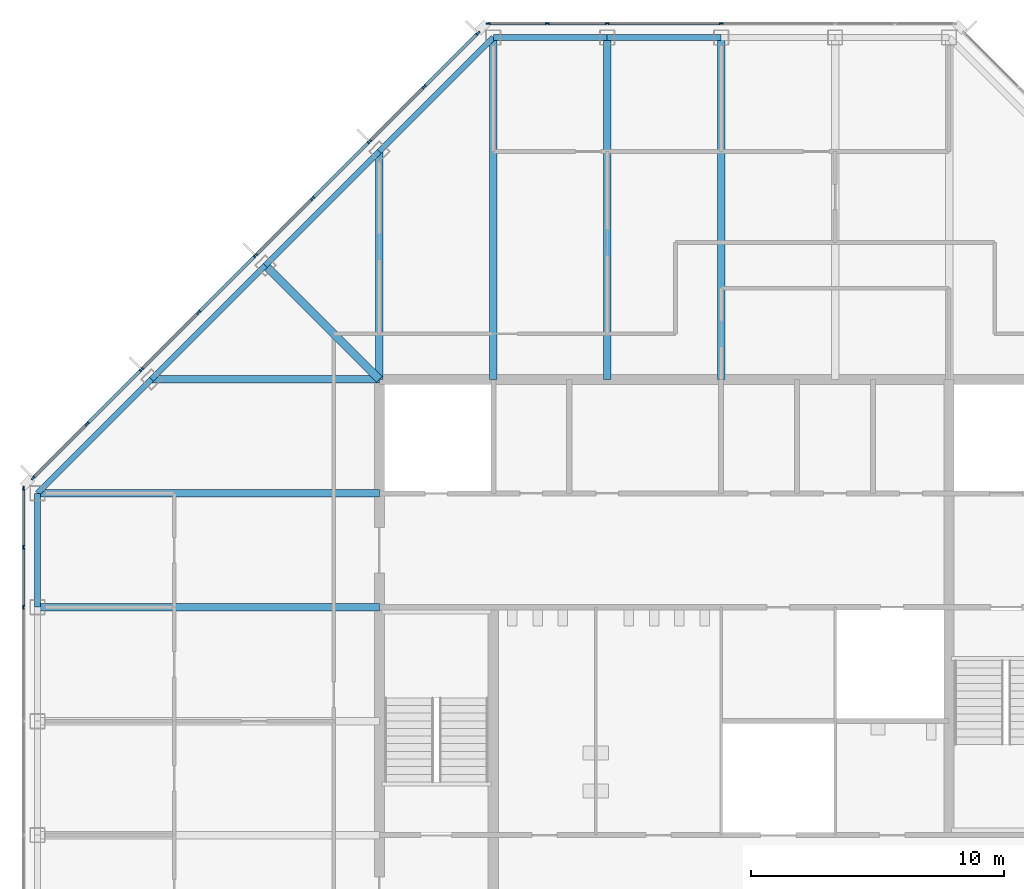
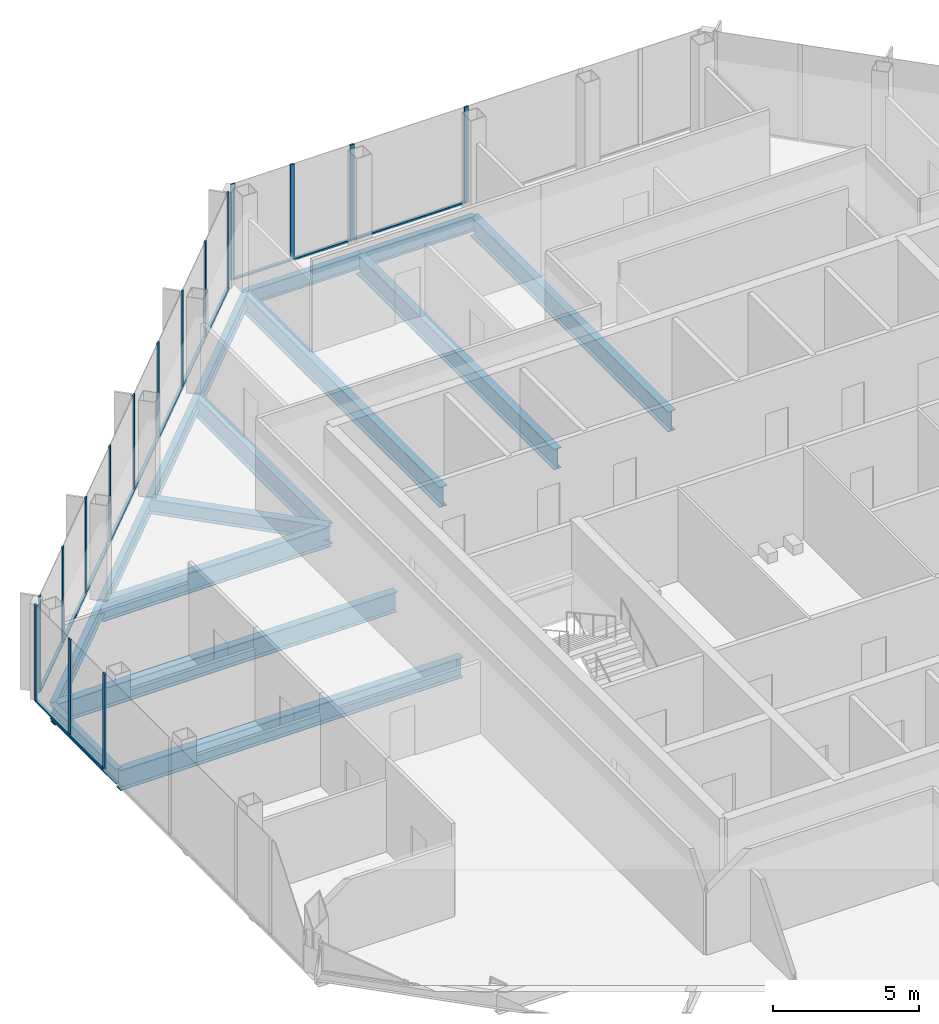
# One storey, part 6 of 14: 29 members, 15 beams, 3 elements without a shape of their own.
"""IFC4 building model written with IfcOpenShell, lengths in metres."""

from ifc_helpers import new_model, si_unit, direction, frame, origin, origin_2d, place, context, subcontext, project, spatial, rectangle, i_section, extrude, material, material_profile, profile_set, type_object, element, aggregate, save


model = new_model("IFC4")

# Units and contexts
model_context = context("Model", 3, precision=1e-05, world=origin(), true_north=direction((0.0, 1.0)))
body_context = subcontext(model_context, "Body", "Model", "MODEL_VIEW")
ifc_project = project(units=[si_unit("LENGTHUNIT", "METRE"), si_unit("AREAUNIT", "SQUARE_METRE"), si_unit("VOLUMEUNIT", "CUBIC_METRE"), si_unit("PLANEANGLEUNIT", "RADIAN"), si_unit("MASSUNIT", "GRAM", prefix="KILO")], contexts=[model_context])

# Site, building, storey
site_placement = place(None, origin())
site = spatial("IfcSite", under=ifc_project, at=site_placement, CompositionType="ELEMENT")
building_placement = place(site_placement, origin())
building = spatial("IfcBuilding", under=site, at=building_placement, Name="Corais Broadcast Tower", CompositionType="ELEMENT")
storey_placement = place(building_placement, frame((0.0, 0.0, 266.60009765625)))
storey = spatial("IfcBuildingStorey", under=building, at=storey_placement, Name="L62", CompositionType="ELEMENT", Elevation=266.60009765625)

# Beams
ifc_material_1 = material(Name="Steel ASTM A572 Grade 50", Category="steel")
ifc_material_profile_1 = material_profile(ifc_material_1, i_section(OverallWidth=0.323974609375, OverallDepth=0.611083984375, WebThickness=0.0126953125, FlangeThickness=0.01904296875, at=origin_2d()), Name="W610x155")
ifc_profile_set_1 = profile_set([ifc_material_profile_1], Name="Steel ASTM A572 Grade 50")
beam_type_1 = type_object("IfcBeamType", Name="Corner diagonal W610x155", PredefinedType="BEAM", material=ifc_profile_set_1)
beam_1_placement = place(storey_placement, frame((9.0, 45.0, -0.465576171875), z_axis=(0.707106781187, -0.707106781187, 0.0), x_axis=(0.707106781187, 0.707106781187, 0.0)))
element("IfcBeam", 1, at=beam_1_placement, inside=storey, type_object=beam_type_1, Name="B6 L/5 to K/6", PredefinedType="BEAM", context=body_context, shape_type="SweptSolid", body=[
    extrude(i_section(OverallWidth=0.323974609375, OverallDepth=0.611083984375, WebThickness=0.0126953125, FlangeThickness=0.01904296875, at=origin_2d()), origin(), (0.0, 0.0, 1.0), 6.364013671875),
])
ifc_material_2 = material(Name="Steel ASTM A572 Grade 50", Category="steel")
ifc_material_profile_2 = material_profile(ifc_material_2, i_section(OverallWidth=0.2939453125, OverallDepth=0.85107421875, WebThickness=0.01611328125, FlangeThickness=0.02685546875, at=origin_2d()), Name="W840x226")
ifc_profile_set_2 = profile_set([ifc_material_profile_2], Name="Steel ASTM A572 Grade 50")
beam_type_2 = type_object("IfcBeamType", Name="Floor beam W840x226", PredefinedType="BEAM", material=ifc_profile_set_2)
for number, where, z_axis, x_axis, name in (
    (2, (0.0, 31.5, -0.585693359375), (1.0, 0.0, 0.0), (0.0, 1.0, 0.0), "B1 H/3 to H/6"),
    (3, (0.0, 36.0, -0.585693359375), (1.0, 0.0, 0.0), (0.0, 1.0, 0.0), "B1 J/3 to J/6"),
):
    element("IfcBeam", number, at=place(storey_placement, frame(where, z_axis=z_axis, x_axis=x_axis)), inside=storey, type_object=beam_type_2, Name=name, PredefinedType="BEAM", context=body_context, shape_type="SweptSolid", body=[
        extrude(i_section(OverallWidth=0.2939453125, OverallDepth=0.85107421875, WebThickness=0.01611328125, FlangeThickness=0.02685546875, at=origin_2d()), origin(), (0.0, 0.0, 1.0), 13.5),
    ])
beam_2_placement = place(storey_placement, frame((13.5, 49.5, -0.585693359375), z_axis=(0.0, -1.0, 0.0), x_axis=(1.0, 0.0, 0.0)))
element("IfcBeam", 4, at=beam_2_placement, inside=storey, type_object=beam_type_2, Name="B1 M/6 to K/6", PredefinedType="BEAM", context=body_context, shape_type="SweptSolid", body=[
    extrude(i_section(OverallWidth=0.2939453125, OverallDepth=0.85107421875, WebThickness=0.01611328125, FlangeThickness=0.02685546875, at=origin_2d()), origin(), (0.0, 0.0, 1.0), 9.0),
])
for number, where, z_axis, x_axis, name in (
    (5, (18.0, 54.0, -0.585693359375), (0.0, -1.0, 0.0), (1.0, 0.0, 0.0), "B1 N/7 to K/7"),
    (6, (22.5, 54.0, -0.585693359375), (0.0, -1.0, 0.0), (1.0, 0.0, 0.0), "B1 N/8 to K/8"),
    (7, (27.0, 54.0, -0.585693359375), (0.0, -1.0, 0.0), (1.0, 0.0, 0.0), "B1 N/9 to K/9"),
):
    element("IfcBeam", number, at=place(storey_placement, frame(where, z_axis=z_axis, x_axis=x_axis)), inside=storey, type_object=beam_type_2, Name=name, PredefinedType="BEAM", context=body_context, shape_type="SweptSolid", body=[
        extrude(i_section(OverallWidth=0.2939453125, OverallDepth=0.85107421875, WebThickness=0.01611328125, FlangeThickness=0.02685546875, at=origin_2d()), origin(), (0.0, 0.0, 1.0), 13.5),
    ])
beam_3_placement = place(storey_placement, frame((4.5, 40.5, -0.585693359375), z_axis=(1.0, 0.0, 0.0), x_axis=(0.0, 1.0, 0.0)))
element("IfcBeam", 8, at=beam_3_placement, inside=storey, type_object=beam_type_2, Name="B1 K/4 to K/6", PredefinedType="BEAM", context=body_context, shape_type="SweptSolid", body=[
    extrude(i_section(OverallWidth=0.2939453125, OverallDepth=0.85107421875, WebThickness=0.01611328125, FlangeThickness=0.02685546875, at=origin_2d()), origin(), (0.0, 0.0, 1.0), 9.0),
])

# Curtain wall, members
ifc_material_3 = material(Name="Aluminium and glass", Category="aluminium")
curtain_wall_type = type_object("IfcCurtainWallType", Name="Unitised fritted curtain wall CW3", PredefinedType="NOTDEFINED", material=ifc_material_3)
curtain_wall_1_placement = place(storey_placement, origin())
curtain_wall_1 = element("IfcCurtainWall", 9, at=curtain_wall_1_placement, inside=storey, type_object=curtain_wall_type, Name="CW3 curtain wall L62 2", PredefinedType="NOTDEFINED")
ifc_material_4 = material(Name="Aluminium 6063-T6", Category="aluminium")
ifc_material_profile_3 = material_profile(ifc_material_4, rectangle(XDim=0.06494140625, YDim=0.159912109375, at=origin_2d()), Name="Mullion CW3 65x160")
ifc_profile_set_3 = profile_set([ifc_material_profile_3], Name="Aluminium 6063-T6")
member_type_1 = type_object("IfcMemberType", Name="Mullion CW3 65x160", PredefinedType="MULLION", material=ifc_profile_set_3)
member_1_placement = place(storey_placement, frame((-0.550048828125, 31.5, 0.0), z_axis=(0.0, 0.0, 1.0), x_axis=(-1.0, 0.0, 0.0)))
member_1 = element("IfcMember", 10, at=member_1_placement, type_object=member_type_1, Name="CW3 mullion 5", PredefinedType="MULLION", context=body_context, shape_type="SweptSolid", body=[
    extrude(rectangle(XDim=0.06494140625, YDim=0.159912109375, at=origin_2d()), origin(), (0.0, 0.0, 1.0), 4.0),
])
member_2_placement = place(storey_placement, frame((-0.550048828125, 33.864013671875, 0.0), z_axis=(0.0, 0.0, 1.0), x_axis=(-1.0, 0.0, 0.0)))
member_2 = element("IfcMember", 11, at=member_2_placement, type_object=member_type_1, Name="CW3 mullion 6", PredefinedType="MULLION", context=body_context, shape_type="SweptSolid", body=[
    extrude(rectangle(XDim=0.06494140625, YDim=0.159912109375, at=origin_2d()), origin(), (0.0, 0.0, 1.0), 4.0),
])
member_3_placement = place(storey_placement, frame((-0.550048828125, 36.1953125, 0.0), z_axis=(0.0, 0.0, 1.0), x_axis=(-1.0, 0.0, 0.0)))
member_3 = element("IfcMember", 12, at=member_3_placement, type_object=member_type_1, Name="CW3 mullion 7", PredefinedType="MULLION", context=body_context, shape_type="SweptSolid", body=[
    extrude(rectangle(XDim=0.06494140625, YDim=0.159912109375, at=origin_2d()), origin(), (0.0, 0.0, 1.0), 4.0),
])

curtain_wall_2_placement = place(storey_placement, origin())
curtain_wall_2 = element("IfcCurtainWall", 13, at=curtain_wall_2_placement, inside=storey, type_object=curtain_wall_type, Name="CW3 curtain wall L62 3", PredefinedType="NOTDEFINED")
member_4_placement = place(storey_placement, frame((-0.17333984375, 36.6044921875, 0.0), z_axis=(0.0, 0.0, 1.0), x_axis=(-0.707106781187, 0.707106781187, 0.0)))
member_4 = element("IfcMember", 14, at=member_4_placement, type_object=member_type_1, Name="CW3 mullion 1", PredefinedType="MULLION", context=body_context, shape_type="SweptSolid", body=[
    extrude(rectangle(XDim=0.06494140625, YDim=0.159912109375, at=origin_2d()), origin(), (0.0, 0.0, 1.0), 4.0),
])
member_5_placement = place(storey_placement, frame((1.957275390625, 38.735107421875, 0.0), z_axis=(0.0, 0.0, 1.0), x_axis=(-0.707106781187, 0.707106781187, 0.0)))
member_5 = element("IfcMember", 15, at=member_5_placement, type_object=member_type_1, Name="CW3 mullion 2", PredefinedType="MULLION", context=body_context, shape_type="SweptSolid", body=[
    extrude(rectangle(XDim=0.06494140625, YDim=0.159912109375, at=origin_2d()), origin(), (0.0, 0.0, 1.0), 4.0),
])
member_6_placement = place(storey_placement, frame((4.111083984375, 40.888916015625, 0.0), z_axis=(0.0, 0.0, 1.0), x_axis=(-0.707106781187, 0.707106781187, 0.0)))
member_6 = element("IfcMember", 16, at=member_6_placement, type_object=member_type_1, Name="CW3 mullion 3", PredefinedType="MULLION", context=body_context, shape_type="SweptSolid", body=[
    extrude(rectangle(XDim=0.06494140625, YDim=0.159912109375, at=origin_2d()), origin(), (0.0, 0.0, 1.0), 4.0),
])
member_7_placement = place(storey_placement, frame((6.361083984375, 43.138916015625, 0.0), z_axis=(0.0, 0.0, 1.0), x_axis=(-0.707106781187, 0.707106781187, 0.0)))
member_7 = element("IfcMember", 17, at=member_7_placement, type_object=member_type_1, Name="CW3 mullion 4", PredefinedType="MULLION", context=body_context, shape_type="SweptSolid", body=[
    extrude(rectangle(XDim=0.06494140625, YDim=0.159912109375, at=origin_2d()), origin(), (0.0, 0.0, 1.0), 4.0),
])
member_8_placement = place(storey_placement, frame((8.611083984375, 45.388916015625, 0.0), z_axis=(0.0, 0.0, 1.0), x_axis=(-0.707106781187, 0.707106781187, 0.0)))
member_8 = element("IfcMember", 18, at=member_8_placement, type_object=member_type_1, Name="CW3 mullion 5", PredefinedType="MULLION", context=body_context, shape_type="SweptSolid", body=[
    extrude(rectangle(XDim=0.06494140625, YDim=0.159912109375, at=origin_2d()), origin(), (0.0, 0.0, 1.0), 4.0),
])
member_9_placement = place(storey_placement, frame((10.861083984375, 47.638916015625, 0.0), z_axis=(0.0, 0.0, 1.0), x_axis=(-0.707106781187, 0.707106781187, 0.0)))
member_9 = element("IfcMember", 19, at=member_9_placement, type_object=member_type_1, Name="CW3 mullion 6", PredefinedType="MULLION", context=body_context, shape_type="SweptSolid", body=[
    extrude(rectangle(XDim=0.06494140625, YDim=0.159912109375, at=origin_2d()), origin(), (0.0, 0.0, 1.0), 4.0),
])
member_10_placement = place(storey_placement, frame((13.111083984375, 49.888916015625, 0.0), z_axis=(0.0, 0.0, 1.0), x_axis=(-0.707106781187, 0.707106781187, 0.0)))
member_10 = element("IfcMember", 20, at=member_10_placement, type_object=member_type_1, Name="CW3 mullion 7", PredefinedType="MULLION", context=body_context, shape_type="SweptSolid", body=[
    extrude(rectangle(XDim=0.06494140625, YDim=0.159912109375, at=origin_2d()), origin(), (0.0, 0.0, 1.0), 4.0),
])
member_11_placement = place(storey_placement, frame((15.264892578125, 52.042724609375, 0.0), z_axis=(0.0, 0.0, 1.0), x_axis=(-0.707106781187, 0.707106781187, 0.0)))
member_11 = element("IfcMember", 21, at=member_11_placement, type_object=member_type_1, Name="CW3 mullion 8", PredefinedType="MULLION", context=body_context, shape_type="SweptSolid", body=[
    extrude(rectangle(XDim=0.06494140625, YDim=0.159912109375, at=origin_2d()), origin(), (0.0, 0.0, 1.0), 4.0),
])
member_12_placement = place(storey_placement, frame((17.3955078125, 54.17333984375, 0.0), z_axis=(0.0, 0.0, 1.0), x_axis=(-0.707106781187, 0.707106781187, 0.0)))
member_12 = element("IfcMember", 22, at=member_12_placement, type_object=member_type_1, Name="CW3 mullion 9", PredefinedType="MULLION", context=body_context, shape_type="SweptSolid", body=[
    extrude(rectangle(XDim=0.06494140625, YDim=0.159912109375, at=origin_2d()), origin(), (0.0, 0.0, 1.0), 4.0),
])

curtain_wall_3_placement = place(storey_placement, origin())
curtain_wall_3 = element("IfcCurtainWall", 23, at=curtain_wall_3_placement, inside=storey, type_object=curtain_wall_type, Name="CW3 curtain wall L62 4", PredefinedType="NOTDEFINED")
member_13_placement = place(storey_placement, frame((17.8046875, 54.550048828125, 0.0), z_axis=(0.0, 0.0, 1.0), x_axis=(0.0, 1.0, 0.0)))
member_13 = element("IfcMember", 24, at=member_13_placement, type_object=member_type_1, Name="CW3 mullion 1", PredefinedType="MULLION", context=body_context, shape_type="SweptSolid", body=[
    extrude(rectangle(XDim=0.06494140625, YDim=0.159912109375, at=origin_2d()), origin(), (0.0, 0.0, 1.0), 4.0),
])
member_14_placement = place(storey_placement, frame((20.135986328125, 54.550048828125, 0.0), z_axis=(0.0, 0.0, 1.0), x_axis=(0.0, 1.0, 0.0)))
member_14 = element("IfcMember", 25, at=member_14_placement, type_object=member_type_1, Name="CW3 mullion 2", PredefinedType="MULLION", context=body_context, shape_type="SweptSolid", body=[
    extrude(rectangle(XDim=0.06494140625, YDim=0.159912109375, at=origin_2d()), origin(), (0.0, 0.0, 1.0), 4.0),
])
member_15_placement = place(storey_placement, frame((22.5, 54.550048828125, 0.0), z_axis=(0.0, 0.0, 1.0), x_axis=(0.0, 1.0, 0.0)))
member_15 = element("IfcMember", 26, at=member_15_placement, type_object=member_type_1, Name="CW3 mullion 3", PredefinedType="MULLION", context=body_context, shape_type="SweptSolid", body=[
    extrude(rectangle(XDim=0.06494140625, YDim=0.159912109375, at=origin_2d()), origin(), (0.0, 0.0, 1.0), 4.0),
])
member_16_placement = place(storey_placement, frame((27.0, 54.550048828125, 0.0), z_axis=(0.0, 0.0, 1.0), x_axis=(0.0, 1.0, 0.0)))
member_16 = element("IfcMember", 27, at=member_16_placement, type_object=member_type_1, Name="CW3 mullion 4", PredefinedType="MULLION", context=body_context, shape_type="SweptSolid", body=[
    extrude(rectangle(XDim=0.06494140625, YDim=0.159912109375, at=origin_2d()), origin(), (0.0, 0.0, 1.0), 4.0),
])

# Beams
ifc_material_5 = material(Name="Steel ASTM A572 Grade 50", Category="steel")
ifc_material_profile_4 = material_profile(ifc_material_5, i_section(OverallWidth=0.22998046875, OverallDepth=0.616943359375, WebThickness=0.01318359375, FlangeThickness=0.022216796875, at=origin_2d()), Name="W610x140")
ifc_profile_set_4 = profile_set([ifc_material_profile_4], Name="Steel ASTM A572 Grade 50")
beam_type_3 = type_object("IfcBeamType", Name="Spandrel W610x140", PredefinedType="BEAM", material=ifc_profile_set_4)
beam_4_placement = place(storey_placement, frame((0.0, 36.0, -0.468505859375), z_axis=(0.0, -1.0, 0.0), x_axis=(1.0, 0.0, 0.0)))
element("IfcBeam", 28, at=beam_4_placement, inside=storey, type_object=beam_type_3, Name="SB3 J/3 to H/3", PredefinedType="BEAM", context=body_context, shape_type="SweptSolid", body=[
    extrude(i_section(OverallWidth=0.22998046875, OverallDepth=0.616943359375, WebThickness=0.01318359375, FlangeThickness=0.022216796875, at=origin_2d()), origin(), (0.0, 0.0, 1.0), 4.5),
])
for number, where, z_axis, x_axis, name in (
    (29, (13.5, 49.5, -0.468505859375), (-0.707106781187, -0.707106781187, 0.0), (0.707106781187, -0.707106781187, 0.0), "SB3 M/6 to L/5"),
    (30, (18.0, 54.0, -0.468505859375), (-0.707106781187, -0.707106781187, 0.0), (0.707106781187, -0.707106781187, 0.0), "SB3 N/7 to M/6"),
):
    element("IfcBeam", number, at=place(storey_placement, frame(where, z_axis=z_axis, x_axis=x_axis)), inside=storey, type_object=beam_type_3, Name=name, PredefinedType="BEAM", context=body_context, shape_type="SweptSolid", body=[
        extrude(i_section(OverallWidth=0.22998046875, OverallDepth=0.616943359375, WebThickness=0.01318359375, FlangeThickness=0.022216796875, at=origin_2d()), origin(), (0.0, 0.0, 1.0), 6.364013671875),
    ])
for number, where, z_axis, x_axis, name in (
    (31, (22.5, 54.0, -0.468505859375), (-1.0, 0.0, 0.0), (0.0, -1.0, 0.0), "SB3 N/8 to N/7"),
    (32, (27.0, 54.0, -0.468505859375), (-1.0, 0.0, 0.0), (0.0, -1.0, 0.0), "SB3 N/9 to N/8"),
):
    element("IfcBeam", number, at=place(storey_placement, frame(where, z_axis=z_axis, x_axis=x_axis)), inside=storey, type_object=beam_type_3, Name=name, PredefinedType="BEAM", context=body_context, shape_type="SweptSolid", body=[
        extrude(i_section(OverallWidth=0.22998046875, OverallDepth=0.616943359375, WebThickness=0.01318359375, FlangeThickness=0.022216796875, at=origin_2d()), origin(), (0.0, 0.0, 1.0), 4.5),
    ])
for number, where, z_axis, x_axis, name in (
    (33, (4.5, 40.5, -0.468505859375), (-0.707106781187, -0.707106781187, 0.0), (0.707106781187, -0.707106781187, 0.0), "SB3 K/4 to J/3"),
    (34, (9.0, 45.0, -0.468505859375), (-0.707106781187, -0.707106781187, 0.0), (0.707106781187, -0.707106781187, 0.0), "SB3 L/5 to K/4"),
):
    element("IfcBeam", number, at=place(storey_placement, frame(where, z_axis=z_axis, x_axis=x_axis)), inside=storey, type_object=beam_type_3, Name=name, PredefinedType="BEAM", context=body_context, shape_type="SweptSolid", body=[
        extrude(i_section(OverallWidth=0.22998046875, OverallDepth=0.616943359375, WebThickness=0.01318359375, FlangeThickness=0.022216796875, at=origin_2d()), origin(), (0.0, 0.0, 1.0), 6.364013671875),
    ])

# Member
ifc_material_6 = material(Name="Aluminium 6063-T6", Category="aluminium")
ifc_material_profile_5 = material_profile(ifc_material_6, rectangle(XDim=0.1201171875, YDim=0.06494140625, at=origin_2d()), Name="Transom CW3 65x120")
ifc_profile_set_5 = profile_set([ifc_material_profile_5], Name="Aluminium 6063-T6")
member_type_2 = type_object("IfcMemberType", Name="Transom CW3 65x120", PredefinedType="USERDEFINED", material=ifc_profile_set_5)
member_17_placement = place(storey_placement, frame((-0.550048828125, 31.532470703125, 0.032470703125), z_axis=(0.0, 1.0, 0.0), x_axis=(-1.0, 0.0, 0.0)))
member_17 = element("IfcMember", 35, at=member_17_placement, type_object=member_type_2, Name="CW3 transom 5.1", ObjectType="TRANSOM", PredefinedType="USERDEFINED", context=body_context, shape_type="SweptSolid", body=[
    extrude(rectangle(XDim=0.1201171875, YDim=0.06494140625, at=origin_2d()), origin(), (0.0, 0.0, 1.0), 2.298828125),
])

member_18_placement = place(storey_placement, frame((-0.550048828125, 33.896484375, 0.032470703125), z_axis=(0.0, 1.0, 0.0), x_axis=(-1.0, 0.0, 0.0)))
member_18 = element("IfcMember", 36, at=member_18_placement, type_object=member_type_2, Name="CW3 transom 6.1", ObjectType="TRANSOM", PredefinedType="USERDEFINED", context=body_context, shape_type="SweptSolid", body=[
    extrude(rectangle(XDim=0.1201171875, YDim=0.06494140625, at=origin_2d()), origin(), (0.0, 0.0, 1.0), 2.266357421875),
])

aggregate(curtain_wall_1, [member_1, member_2, member_3, member_17, member_18])

member_19_placement = place(storey_placement, frame((-0.150390625, 36.62744140625, 0.032470703125), z_axis=(0.707106781187, 0.707106781187, 0.0), x_axis=(-0.707106781187, 0.707106781187, 0.0)))
member_19 = element("IfcMember", 37, at=member_19_placement, type_object=member_type_2, Name="CW3 transom 1.1", ObjectType="TRANSOM", PredefinedType="USERDEFINED", context=body_context, shape_type="SweptSolid", body=[
    extrude(rectangle(XDim=0.1201171875, YDim=0.06494140625, at=origin_2d()), origin(), (0.0, 0.0, 1.0), 2.9482421875),
])

member_20_placement = place(storey_placement, frame((1.980224609375, 38.758056640625, 0.032470703125), z_axis=(0.707106781187, 0.707106781187, 0.0), x_axis=(-0.707106781187, 0.707106781187, 0.0)))
member_20 = element("IfcMember", 38, at=member_20_placement, type_object=member_type_2, Name="CW3 transom 2.1", ObjectType="TRANSOM", PredefinedType="USERDEFINED", context=body_context, shape_type="SweptSolid", body=[
    extrude(rectangle(XDim=0.1201171875, YDim=0.06494140625, at=origin_2d()), origin(), (0.0, 0.0, 1.0), 2.98095703125),
])

member_21_placement = place(storey_placement, frame((4.134033203125, 40.911865234375, 0.032470703125), z_axis=(0.707106781187, 0.707106781187, 0.0), x_axis=(-0.707106781187, 0.707106781187, 0.0)))
member_21 = element("IfcMember", 39, at=member_21_placement, type_object=member_type_2, Name="CW3 transom 3.1", ObjectType="TRANSOM", PredefinedType="USERDEFINED", context=body_context, shape_type="SweptSolid", body=[
    extrude(rectangle(XDim=0.1201171875, YDim=0.06494140625, at=origin_2d()), origin(), (0.0, 0.0, 1.0), 3.1171875),
])

member_22_placement = place(storey_placement, frame((6.384033203125, 43.161865234375, 0.032470703125), z_axis=(0.707106781187, 0.707106781187, 0.0), x_axis=(-0.707106781187, 0.707106781187, 0.0)))
member_22 = element("IfcMember", 40, at=member_22_placement, type_object=member_type_2, Name="CW3 transom 4.1", ObjectType="TRANSOM", PredefinedType="USERDEFINED", context=body_context, shape_type="SweptSolid", body=[
    extrude(rectangle(XDim=0.1201171875, YDim=0.06494140625, at=origin_2d()), origin(), (0.0, 0.0, 1.0), 3.1171875),
])

member_23_placement = place(storey_placement, frame((8.634033203125, 45.411865234375, 0.032470703125), z_axis=(0.707106781187, 0.707106781187, 0.0), x_axis=(-0.707106781187, 0.707106781187, 0.0)))
member_23 = element("IfcMember", 41, at=member_23_placement, type_object=member_type_2, Name="CW3 transom 5.1", ObjectType="TRANSOM", PredefinedType="USERDEFINED", context=body_context, shape_type="SweptSolid", body=[
    extrude(rectangle(XDim=0.1201171875, YDim=0.06494140625, at=origin_2d()), origin(), (0.0, 0.0, 1.0), 3.1171875),
])

member_24_placement = place(storey_placement, frame((10.884033203125, 47.661865234375, 0.032470703125), z_axis=(0.707106781187, 0.707106781187, 0.0), x_axis=(-0.707106781187, 0.707106781187, 0.0)))
member_24 = element("IfcMember", 42, at=member_24_placement, type_object=member_type_2, Name="CW3 transom 6.1", ObjectType="TRANSOM", PredefinedType="USERDEFINED", context=body_context, shape_type="SweptSolid", body=[
    extrude(rectangle(XDim=0.1201171875, YDim=0.06494140625, at=origin_2d()), origin(), (0.0, 0.0, 1.0), 3.1171875),
])

member_25_placement = place(storey_placement, frame((13.134033203125, 49.911865234375, 0.032470703125), z_axis=(0.70714773134, 0.707065828661, 0.0), x_axis=(-0.707065828661, 0.70714773134, 0.0)))
member_25 = element("IfcMember", 43, at=member_25_placement, type_object=member_type_2, Name="CW3 transom 7.1", ObjectType="TRANSOM", PredefinedType="USERDEFINED", context=body_context, shape_type="SweptSolid", body=[
    extrude(rectangle(XDim=0.1201171875, YDim=0.06494140625, at=origin_2d()), origin(), (0.0, 0.0, 1.0), 2.98095703125),
])

member_26_placement = place(storey_placement, frame((15.287841796875, 52.065673828125, 0.032470703125), z_axis=(0.707106781187, 0.707106781187, 0.0), x_axis=(-0.707106781187, 0.707106781187, 0.0)))
member_26 = element("IfcMember", 44, at=member_26_placement, type_object=member_type_2, Name="CW3 transom 8.1", ObjectType="TRANSOM", PredefinedType="USERDEFINED", context=body_context, shape_type="SweptSolid", body=[
    extrude(rectangle(XDim=0.1201171875, YDim=0.06494140625, at=origin_2d()), origin(), (0.0, 0.0, 1.0), 2.9482421875),
])

aggregate(curtain_wall_2, [member_4, member_5, member_6, member_7, member_8, member_9, member_10, member_11, member_12, member_19, member_20, member_21, member_22, member_23, member_24, member_25, member_26])

member_27_placement = place(storey_placement, frame((17.837158203125, 54.550048828125, 0.032470703125), z_axis=(1.0, 0.0, 0.0), x_axis=(0.0, 1.0, 0.0)))
member_27 = element("IfcMember", 45, at=member_27_placement, type_object=member_type_2, Name="CW3 transom 1.1", ObjectType="TRANSOM", PredefinedType="USERDEFINED", context=body_context, shape_type="SweptSolid", body=[
    extrude(rectangle(XDim=0.1201171875, YDim=0.06494140625, at=origin_2d()), origin(), (0.0, 0.0, 1.0), 2.266357421875),
])

member_28_placement = place(storey_placement, frame((20.168701171875, 54.550048828125, 0.032470703125), z_axis=(1.0, 0.0, 0.0), x_axis=(0.0, 1.0, 0.0)))
member_28 = element("IfcMember", 46, at=member_28_placement, type_object=member_type_2, Name="CW3 transom 2.1", ObjectType="TRANSOM", PredefinedType="USERDEFINED", context=body_context, shape_type="SweptSolid", body=[
    extrude(rectangle(XDim=0.1201171875, YDim=0.06494140625, at=origin_2d()), origin(), (0.0, 0.0, 1.0), 2.298828125),
])

member_29_placement = place(storey_placement, frame((22.532470703125, 54.550048828125, 0.032470703125), z_axis=(1.0, 0.0, 0.0), x_axis=(0.0, 1.0, 0.0)))
member_29 = element("IfcMember", 47, at=member_29_placement, type_object=member_type_2, Name="CW3 transom 3.1", ObjectType="TRANSOM", PredefinedType="USERDEFINED", context=body_context, shape_type="SweptSolid", body=[
    extrude(rectangle(XDim=0.1201171875, YDim=0.06494140625, at=origin_2d()), origin(), (0.0, 0.0, 1.0), 4.43505859375),
])

aggregate(curtain_wall_3, [member_13, member_14, member_15, member_16, member_27, member_28, member_29])

save(model, "model.ifc")
